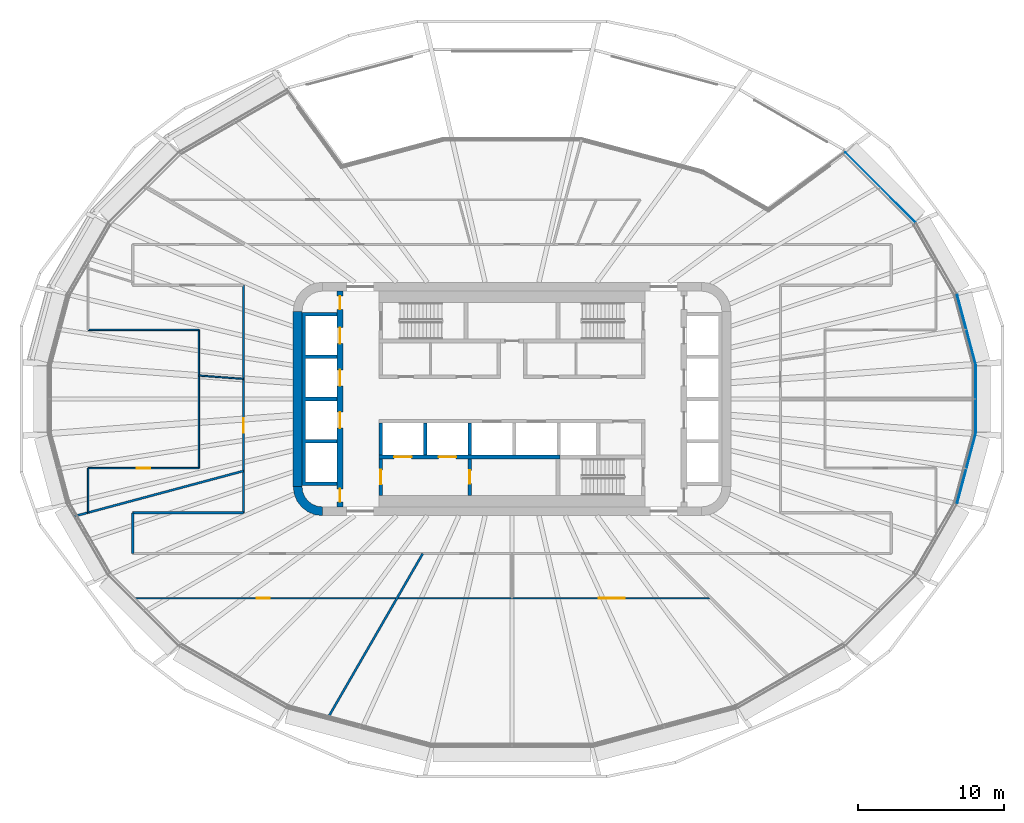
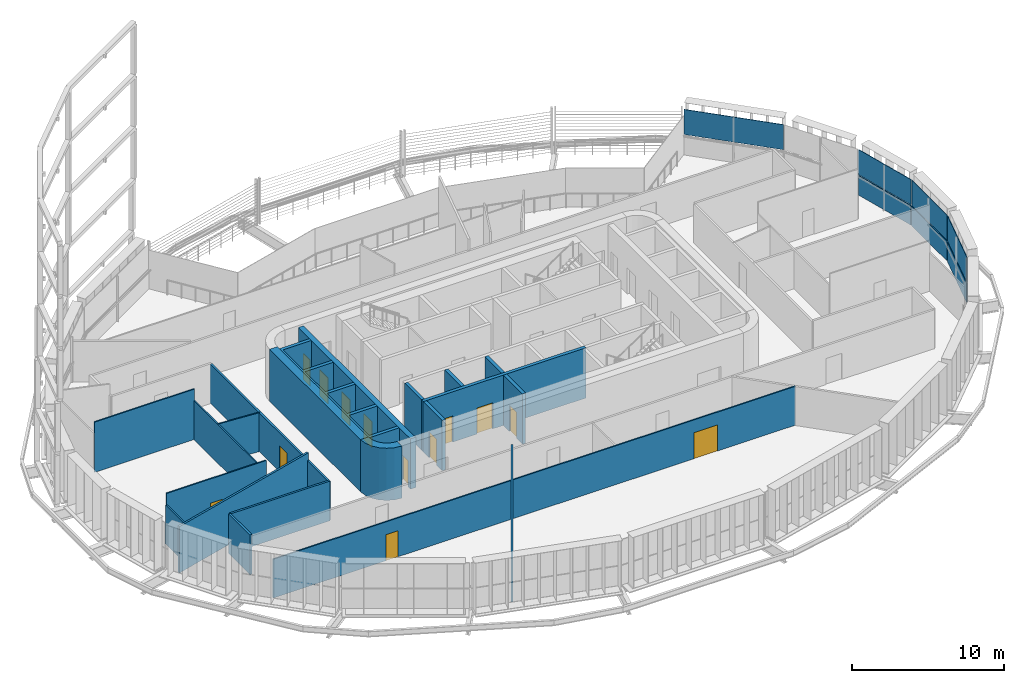
# One storey, part 13 of 25: 21 walls, 13 doors, 7 plates, 13 openings, 4 elements without a shape of their own.
"""IFC4 building model written with IfcOpenShell, lengths in metres."""

from ifc_helpers import new_model, si_unit, direction, frame, frame_2d, origin, place, context, subcontext, project, spatial, polyline, rectangle, outline, extrude, material, layer, layer_set, type_object, element, fill, aggregate, save


model = new_model("IFC4")

# Units and contexts
model_context = context("Model", 3, precision=1e-05, world=origin(), true_north=direction((0.0, 1.0)))
body_context = subcontext(model_context, "Body", "Model", "MODEL_VIEW")
ifc_project = project(units=[si_unit("LENGTHUNIT", "METRE"), si_unit("AREAUNIT", "SQUARE_METRE"), si_unit("VOLUMEUNIT", "CUBIC_METRE"), si_unit("PLANEANGLEUNIT", "RADIAN"), si_unit("MASSUNIT", "GRAM", prefix="KILO")], contexts=[model_context])

# Site, building, storey
site_placement = place(None, origin())
site = spatial("IfcSite", under=ifc_project, at=site_placement, CompositionType="ELEMENT")
building_placement = place(site_placement, origin())
building = spatial("IfcBuilding", under=site, at=building_placement, Name="Sahrelin Media Tower", CompositionType="ELEMENT")
storey_placement = place(building_placement, frame((0.0, 0.0, 127.199951171875)))
storey = spatial("IfcBuildingStorey", under=building, at=storey_placement, Name="L25", CompositionType="ELEMENT", Elevation=127.199951171875)

# Curtain wall, plate
ifc_material_1 = material(Name="Champagne anodised aluminium 6063-T6", Category="aluminium")
ifc_layer_1 = layer(ifc_material_1, 0.14990234375)
ifc_layer_set_1 = layer_set([ifc_layer_1], Name="Tower ribbon curtain wall")
curtain_wall_type = type_object("IfcCurtainWallType", Name="Tower ribbon curtain wall", PredefinedType="NOTDEFINED", material=ifc_layer_set_1)
curtain_wall_1_placement = place(storey_placement, frame((31.798095703125, 0.0, 0.0), z_axis=(0.0, 0.0, 1.0), x_axis=(1.0, 0.0, 0.0)))
curtain_wall_1 = element("IfcCurtainWall", 1, at=curtain_wall_1_placement, inside=storey, type_object=curtain_wall_type, Name="L25:CW:L25-00", PredefinedType="NOTDEFINED")
ifc_material_2 = material(Name="Clear low-iron glazing", Category="glass")
ifc_layer_2 = layer(ifc_material_2, 0.0400390625)
ifc_layer_set_2 = layer_set([ifc_layer_2], Name="Glazing panel 40 mm CW1")
plate_type_1 = type_object("IfcPlateType", Name="Glazing panel 40 mm CW1", PredefinedType="CURTAIN_PANEL", material=ifc_layer_set_2)
plate_1_placement = place(storey_placement, frame((31.818115234375, -2.32568359375, 1.630126953125), z_axis=(1.0, 0.0, 0.0), x_axis=(0.0, 1.0, 0.0)))
plate_1 = element("IfcPlate", 2, at=plate_1_placement, type_object=plate_type_1, Name="L25:CWP2:L25-00", PredefinedType="CURTAIN_PANEL", context=body_context, shape_type="SweptSolid", body=[
    extrude(outline(polyline([(0.0, 0.0), (4.6513671875, 0.0), (4.6513671875, 2.0185546875), (0.0, 2.0185546875), (0.0, 0.0)])), origin(), (0.0, 0.0, -1.0), 0.0400390625),
])

curtain_wall_2_placement = place(storey_placement, frame((31.155029296875, 4.775634765625, 0.0), z_axis=(0.0, 0.0, 1.0), x_axis=(1.0, 0.0, 0.0)))
curtain_wall_2 = element("IfcCurtainWall", 3, at=curtain_wall_2_placement, inside=storey, type_object=curtain_wall_type, Name="L25:CW:L25-01", PredefinedType="NOTDEFINED")
plate_2_placement = place(storey_placement, frame((31.8046875, 2.42919921875, 1.630126953125), z_axis=(0.965913807006, 0.258863897512, 0.0), x_axis=(-0.258863897512, 0.965913807006, 0.0)))
plate_2 = element("IfcPlate", 4, at=plate_2_placement, type_object=plate_type_1, Name="L25:CWP2:L25-01", PredefinedType="CURTAIN_PANEL", context=body_context, shape_type="SweptSolid", body=[
    extrude(outline(polyline([(0.0, 0.0), (4.869384765625, 0.0), (4.869384765625, 2.0185546875), (0.0, 2.0185546875), (0.0, 0.0)])), origin(), (0.0, 0.0, -1.0), 0.0400390625),
])

curtain_wall_3_placement = place(storey_placement, frame((25.25634765625, 14.5009765625, 0.0), z_axis=(0.0, 0.0, 1.0), x_axis=(1.0, 0.0, 0.0)))
curtain_wall_3 = element("IfcCurtainWall", 5, at=curtain_wall_3_placement, inside=storey, type_object=curtain_wall_type, Name="L25:CW:L25-03", PredefinedType="NOTDEFINED")
plate_3_placement = place(storey_placement, frame((27.663818359375, 12.121826171875, 1.630126953125), z_axis=(0.707106781187, 0.707106781187, 0.0), x_axis=(-0.707106781187, 0.707106781187, 0.0)))
plate_3 = element("IfcPlate", 6, at=plate_3_placement, type_object=plate_type_1, Name="L25:CWP2:L25-03", PredefinedType="CURTAIN_PANEL", context=body_context, shape_type="SweptSolid", body=[
    extrude(outline(polyline([(0.0, 0.0), (6.769287109375, 0.0), (6.769287109375, 2.0185546875), (0.0, 2.0185546875), (0.0, 0.0)])), origin(), (0.0, 0.0, -1.0), 0.0400390625),
])
aggregate(curtain_wall_3, [plate_3])

curtain_wall_4_placement = place(storey_placement, frame((31.155029296875, -4.77587890625, 0.0), z_axis=(0.0, 0.0, 1.0), x_axis=(1.0, 0.0, 0.0)))
curtain_wall_4 = element("IfcCurtainWall", 7, at=curtain_wall_4_placement, inside=storey, type_object=curtain_wall_type, Name="L25:CW:L25-23", PredefinedType="NOTDEFINED")
plate_4_placement = place(storey_placement, frame((30.544189453125, -7.132568359375, 1.630126953125), z_axis=(0.965913807006, -0.258863897512, 0.0), x_axis=(0.258863897512, 0.965913807006, 0.0)))
plate_4 = element("IfcPlate", 8, at=plate_4_placement, type_object=plate_type_1, Name="L25:CWP2:L25-23", PredefinedType="CURTAIN_PANEL", context=body_context, shape_type="SweptSolid", body=[
    extrude(outline(polyline([(0.0, 0.0), (4.869384765625, 0.0), (4.869384765625, 2.0185546875), (0.0, 2.0185546875), (0.0, 0.0)])), origin(), (0.0, 0.0, -1.0), 0.0400390625),
])

# Plate
ifc_material_3 = material(Name="Insulated spandrel panel")
ifc_layer_3 = layer(ifc_material_3, 0.06005859375)
ifc_layer_set_3 = layer_set([ifc_layer_3], Name="Spandrel panel 60 mm CW1")
plate_type_2 = type_object("IfcPlateType", Name="Spandrel panel 60 mm CW1", PredefinedType="SHEET", material=ifc_layer_set_3)
plate_5_placement = place(storey_placement, frame((31.818115234375, -2.32568359375, 0.0), z_axis=(1.0, 0.0, 0.0), x_axis=(0.0, 1.0, 0.0)))
plate_5 = element("IfcPlate", 9, at=plate_5_placement, type_object=plate_type_2, Name="L25:CWP1:L25-00", PredefinedType="SHEET", context=body_context, shape_type="SweptSolid", body=[
    extrude(outline(polyline([(0.0, 0.0), (4.6513671875, 0.0), (4.6513671875, 1.570068359375), (0.0, 1.570068359375), (0.0, 0.0)])), origin(), (0.0, 0.0, -1.0), 0.06005859375),
])

aggregate(curtain_wall_1, [plate_5, plate_1])

plate_6_placement = place(storey_placement, frame((31.8046875, 2.42919921875, 0.0), z_axis=(0.965913807006, 0.258863897512, 0.0), x_axis=(-0.258863897512, 0.965913807006, 0.0)))
plate_6 = element("IfcPlate", 10, at=plate_6_placement, type_object=plate_type_2, Name="L25:CWP1:L25-01", PredefinedType="SHEET", context=body_context, shape_type="SweptSolid", body=[
    extrude(outline(polyline([(0.0, 0.0), (4.869384765625, 0.0), (4.869384765625, 1.570068359375), (0.0, 1.570068359375), (0.0, 0.0)])), origin(), (0.0, 0.0, -1.0), 0.06005859375),
])

aggregate(curtain_wall_2, [plate_6, plate_2])

plate_7_placement = place(storey_placement, frame((30.544189453125, -7.132568359375, 0.0), z_axis=(0.965913807006, -0.258863897512, 0.0), x_axis=(0.258863897512, 0.965913807006, 0.0)))
plate_7 = element("IfcPlate", 11, at=plate_7_placement, type_object=plate_type_2, Name="L25:CWP1:L25-23", PredefinedType="SHEET", context=body_context, shape_type="SweptSolid", body=[
    extrude(outline(polyline([(0.0, 0.0), (4.869384765625, 0.0), (4.869384765625, 1.570068359375), (0.0, 1.570068359375), (0.0, 0.0)])), origin(), (0.0, 0.0, -1.0), 0.06005859375),
])

aggregate(curtain_wall_4, [plate_7, plate_4])

# Walls
ifc_material_4 = material(Name="Concrete C60/75", Category="concrete")
ifc_layer_4 = layer(ifc_material_4, 0.60009765625)
ifc_layer_set_4 = layer_set([ifc_layer_4], Name="Core wall 600")
wall_type_1 = type_object("IfcWallType", Name="Core wall 600", PredefinedType="SHEAR", material=ifc_layer_set_4)
wall_1_placement = place(storey_placement, frame((-14.699951171875, -6.0, 0.0), z_axis=(0.0, 0.0, 1.0), x_axis=(0.0, 1.0, 0.0)))
element("IfcWall", 12, at=wall_1_placement, inside=storey, type_object=wall_type_1, Name="Core wall W L25", PredefinedType="SHEAR", context=body_context, shape_type="SweptSolid", body=[
    extrude(rectangle(XDim=12.0, YDim=0.60009765625, at=frame_2d((6.0, 0.0))), origin(), (0.0, 0.0, 1.0), 4.199951171875),
])
placement = place(storey_placement, origin())
element("IfcWall", 13, at=placement, inside=storey, type_object=wall_type_1, Name="Core wall corner SW L25", PredefinedType="SHEAR", context=body_context, shape_type="SweptSolid", body=[
    extrude(outline(polyline([(-13.0, -8.0), (-13.0, -7.394775390625), (-13.361083984375, -7.347412109375), (-13.697509765625, -7.2080078125), (-13.986328125, -6.986328125), (-14.2080078125, -6.697509765625), (-14.347412109375, -6.361083984375), (-14.394775390625, -6.0), (-15.0, -6.0), (-14.931884765625, -6.517578125), (-14.732177734375, -7.0), (-14.414306640625, -7.414306640625), (-14.0, -7.732177734375), (-13.517578125, -7.931884765625), (-13.0, -8.0)])), origin(), (0.0, 0.0, 1.0), 4.199951171875),
])
ifc_material_5 = material(Name="Fire-rated gypsum board partition")
ifc_layer_5 = layer(ifc_material_5, 0.14990234375)
ifc_layer_set_5 = layer_set([ifc_layer_5], Name="Fire-rated partition 150")
wall_type_2 = type_object("IfcWallType", Name="Fire-rated partition 150", PredefinedType="PARTITIONING", material=ifc_layer_set_5)
wall_3_placement = place(storey_placement, frame((-26.0, -7.800048828125, 0.0), z_axis=(0.0, 0.0, 1.0), x_axis=(1.0, 0.0, 0.0)))
element("IfcWall", 14, at=wall_3_placement, inside=storey, type_object=wall_type_2, Name="Wall", PredefinedType="PARTITIONING", context=body_context, shape_type="SweptSolid", body=[
    extrude(rectangle(XDim=7.60009765625, YDim=0.14990234375, at=frame_2d((3.800048828125, 0.0))), origin(), (0.0, 0.0, 1.0), 3.195068359375),
])
wall_4_placement = place(storey_placement, frame((-30.011962890625, -8.0419921875, 0.0), z_axis=(0.0, 0.0, 1.0), x_axis=(0.965928199485, 0.25881018805, 0.0)))
element("IfcWall", 15, at=wall_4_placement, inside=storey, type_object=wall_type_2, Name="Wall", PredefinedType="PARTITIONING", context=body_context, shape_type="SweptSolid", body=[
    extrude(rectangle(XDim=12.021728515625, YDim=0.14990234375, at=frame_2d((6.0107421875, 0.0))), origin(), (0.0, 0.0, 1.0), 3.7265625),
])
wall_5_placement = place(storey_placement, frame((-12.669921875, -21.945068359375, 0.0), z_axis=(0.0, 0.0, 1.0), x_axis=(0.500015519518, 0.866016443401, 0.0)))
element("IfcWall", 16, at=wall_5_placement, inside=storey, type_object=wall_type_2, Name="Wall", PredefinedType="PARTITIONING", context=body_context, shape_type="SweptSolid", body=[
    extrude(rectangle(XDim=13.10009765625, YDim=0.14990234375, at=frame_2d((6.550048828125, 0.0))), origin(), (0.0, 0.0, 1.0), 3.501708984375),
])

# Wall, opening, door
wall_6_placement = place(storey_placement, frame((-18.39990234375, -7.800048828125, 0.0), z_axis=(0.0, 0.0, 1.0), x_axis=(0.0, 1.0, 0.0)))
wall_6 = element("IfcWall", 17, at=wall_6_placement, inside=storey, type_object=wall_type_2, Name="Wall", PredefinedType="PARTITIONING", context=body_context, shape_type="SweptSolid", body=[
    extrude(rectangle(XDim=15.60009765625, YDim=0.14990234375, at=frame_2d((7.800048828125, 0.0))), origin(), (0.0, 0.0, 1.0), 3.126953125),
])
opening_1_placement = place(wall_6_placement, frame((5.474365234375, 0.0, 0.0)))
opening_1 = element("IfcOpeningElement", 18, at=opening_1_placement, cuts=wall_6, Name="Opening L25-D35", PredefinedType="OPENING", context=body_context, shape_type="SweptSolid", body=[
    extrude(rectangle(XDim=1.0, YDim=2.10009765625, at=frame_2d((0.5, 1.050048828125))), frame((0.0, 0.074951171875, 0.0), z_axis=(0.0, -1.0, 0.0), x_axis=(1.0, 0.0, 0.0)), (0.0, 0.0, 1.0), 0.14990234375),
])
ifc_material_6 = material(Name="Steel fire door leaf", Category="steel")
door_type_1 = type_object("IfcDoorType", Name="Fire door 1000 x 2100 EI 60", OperationType="NOTDEFINED", PredefinedType="DOOR", material=ifc_material_6)
door_1_placement = place(opening_1_placement, origin())
door_1 = element("IfcDoor", 19, at=door_1_placement, inside=storey, type_object=door_type_1, Name="Fire door", OperationType="SINGLE_SWING_LEFT", OverallHeight=2.10009765625, OverallWidth=1.0, PredefinedType="DOOR", context=body_context, shape_type="SweptSolid", body=[
    extrude(rectangle(XDim=1.0, YDim=2.10009765625, at=frame_2d((0.5, 1.050048828125))), frame((0.0, 0.02490234375, 0.0), z_axis=(0.0, -1.0, 0.0), x_axis=(1.0, 0.0, 0.0)), (0.0, 0.0, 1.0), 0.050048828125),
])
fill(opening_1, door_1)

# Wall
wall_7_placement = place(storey_placement, frame((-26.0, -10.60009765625, 0.0), z_axis=(0.0, 0.0, 1.0), x_axis=(0.0, 1.0, 0.0)))
element("IfcWall", 20, at=wall_7_placement, inside=storey, type_object=wall_type_2, Name="Wall", PredefinedType="PARTITIONING", context=body_context, shape_type="SweptSolid", body=[
    extrude(rectangle(XDim=2.800048828125, YDim=0.14990234375, at=frame_2d((1.39990234375, 0.0))), origin(), (0.0, 0.0, 1.0), 3.195068359375),
])

# Wall, opening, door
ifc_layer_6 = layer(ifc_material_5, 0.25)
ifc_layer_set_6 = layer_set([ifc_layer_6], Name="Firefighting lobby wall 250")
wall_type_3 = type_object("IfcWallType", Name="Firefighting lobby wall 250", PredefinedType="PARTITIONING", material=ifc_layer_set_6)
wall_8_placement = place(storey_placement, frame((-9.0, -6.60009765625, 0.0), z_axis=(0.0, 0.0, 1.0), x_axis=(0.0, 1.0, 0.0)))
wall_8 = element("IfcWall", 21, at=wall_8_placement, inside=storey, type_object=wall_type_3, Name="Core wall", PredefinedType="PARTITIONING", context=body_context, shape_type="SweptSolid", body=[
    extrude(rectangle(XDim=2.5, YDim=0.25, at=frame_2d((1.25, 0.0))), origin(), (0.0, 0.0, 1.0), 4.050048828125),
])
opening_2_placement = place(wall_8_placement, frame((0.75, 0.0, 0.0)))
opening_2 = element("IfcOpeningElement", 22, at=opening_2_placement, cuts=wall_8, Name="Opening L25-D04", PredefinedType="OPENING", context=body_context, shape_type="SweptSolid", body=[
    extrude(rectangle(XDim=1.0, YDim=2.10009765625, at=frame_2d((0.5, 1.050048828125))), frame((0.0, 0.125, 0.0), z_axis=(0.0, -1.0, 0.0), x_axis=(1.0, 0.0, 0.0)), (0.0, 0.0, 1.0), 0.25),
])
door_type_2 = type_object("IfcDoorType", Name="Firefighting lobby door 1000 x 2100 EI 120", OperationType="NOTDEFINED", PredefinedType="DOOR", material=ifc_material_6)
door_2_placement = place(opening_2_placement, origin())
door_2 = element("IfcDoor", 23, at=door_2_placement, inside=storey, type_object=door_type_2, Name="Firefighting lobby door", OperationType="SINGLE_SWING_LEFT", OverallHeight=2.10009765625, OverallWidth=1.0, PredefinedType="DOOR", context=body_context, shape_type="SweptSolid", body=[
    extrude(rectangle(XDim=1.0, YDim=2.10009765625, at=frame_2d((0.5, 1.050048828125))), frame((0.0, 0.02490234375, 0.0), z_axis=(0.0, -1.0, 0.0), x_axis=(1.0, 0.0, 0.0)), (0.0, 0.0, 1.0), 0.050048828125),
])
fill(opening_2, door_2)

wall_9_placement = place(storey_placement, frame((-2.89990234375, -6.60009765625, 0.0), z_axis=(0.0, 0.0, 1.0), x_axis=(0.0, 1.0, 0.0)))
wall_9 = element("IfcWall", 24, at=wall_9_placement, inside=storey, type_object=wall_type_3, Name="Core wall", PredefinedType="PARTITIONING", context=body_context, shape_type="SweptSolid", body=[
    extrude(rectangle(XDim=2.5, YDim=0.25, at=frame_2d((1.25, 0.0))), origin(), (0.0, 0.0, 1.0), 4.050048828125),
])
opening_3_placement = place(wall_9_placement, frame((0.800048828125, 0.0, 0.0)))
opening_3 = element("IfcOpeningElement", 25, at=opening_3_placement, cuts=wall_9, Name="Opening L25-D05", PredefinedType="OPENING", context=body_context, shape_type="SweptSolid", body=[
    extrude(rectangle(XDim=0.89990234375, YDim=2.10009765625, at=frame_2d((0.449951171875, 1.050048828125))), frame((0.0, 0.125, 0.0), z_axis=(0.0, -1.0, 0.0), x_axis=(1.0, 0.0, 0.0)), (0.0, 0.0, 1.0), 0.25),
])
door_type_3 = type_object("IfcDoorType", Name="Firefighting lobby door 900 x 2100 EI 120", OperationType="NOTDEFINED", PredefinedType="DOOR", material=ifc_material_6)
door_3_placement = place(opening_3_placement, origin())
door_3 = element("IfcDoor", 26, at=door_3_placement, inside=storey, type_object=door_type_3, Name="Riser door", OperationType="SINGLE_SWING_RIGHT", OverallHeight=2.10009765625, OverallWidth=0.89990234375, PredefinedType="DOOR", context=body_context, shape_type="SweptSolid", body=[
    extrude(rectangle(XDim=0.89990234375, YDim=2.10009765625, at=frame_2d((0.449951171875, 1.050048828125))), frame((0.0, 0.02490234375, 0.0), z_axis=(0.0, -1.0, 0.0), x_axis=(1.0, 0.0, 0.0)), (0.0, 0.0, 1.0), 0.050048828125),
])
fill(opening_3, door_3)

# Wall, openings, doors
ifc_layer_7 = layer(ifc_material_4, 0.25)
ifc_layer_set_7 = layer_set([ifc_layer_7], Name="Lift shaft wall 250")
wall_type_4 = type_object("IfcWallType", Name="Lift shaft wall 250", PredefinedType="SOLIDWALL", material=ifc_layer_set_7)
wall_10_placement = place(storey_placement, frame((-9.125, -3.97509765625, 0.0), z_axis=(0.0, 0.0, 1.0), x_axis=(1.0, 0.0, 0.0)))
wall_10 = element("IfcWall", 27, at=wall_10_placement, inside=storey, type_object=wall_type_4, Name="Lift shaft wall", PredefinedType="SOLIDWALL", context=body_context, shape_type="SweptSolid", body=[
    extrude(rectangle(XDim=12.39990234375, YDim=0.25, at=frame_2d((6.199951171875, 0.0))), origin(), (0.0, 0.0, 1.0), 4.050048828125),
])
opening_4_placement = place(wall_10_placement, frame((1.050048828125, 0.0, 0.0)))
opening_4 = element("IfcOpeningElement", 28, at=opening_4_placement, cuts=wall_10, Name="Opening L25-LD-FF1", PredefinedType="OPENING", context=body_context, shape_type="SweptSolid", body=[
    extrude(rectangle(XDim=1.199951171875, YDim=2.10009765625, at=frame_2d((0.60009765625, 1.050048828125))), frame((0.0, 0.125, 0.0), z_axis=(0.0, -1.0, 0.0), x_axis=(1.0, 0.0, 0.0)), (0.0, 0.0, 1.0), 0.25),
])
opening_5_placement = place(wall_10_placement, frame((4.10009765625, 0.0, 0.0)))
opening_5 = element("IfcOpeningElement", 29, at=opening_5_placement, cuts=wall_10, Name="Opening L25-LD-FF2", PredefinedType="OPENING", context=body_context, shape_type="SweptSolid", body=[
    extrude(rectangle(XDim=1.199951171875, YDim=2.10009765625, at=frame_2d((0.60009765625, 1.050048828125))), frame((0.0, 0.125, 0.0), z_axis=(0.0, -1.0, 0.0), x_axis=(1.0, 0.0, 0.0)), (0.0, 0.0, 1.0), 0.25),
])
ifc_material_7 = material(Name="Stainless steel", Category="steel")
door_type_4 = type_object("IfcDoorType", Name="Lift landing door 1200 x 2100 EI 120", OperationType="DOUBLE_DOOR_SLIDING", PredefinedType="DOOR", material=ifc_material_7)
door_4_placement = place(opening_4_placement, origin())
door_4 = element("IfcDoor", 30, at=door_4_placement, inside=storey, type_object=door_type_4, Name="Lift landing door FF1", OperationType="DOUBLE_DOOR_SLIDING", OverallHeight=2.10009765625, OverallWidth=1.199951171875, PredefinedType="DOOR", context=body_context, shape_type="SweptSolid", body=[
    extrude(rectangle(XDim=1.199951171875, YDim=2.10009765625, at=frame_2d((0.60009765625, 1.050048828125))), frame((0.0, 0.02490234375, 0.0), z_axis=(0.0, -1.0, 0.0), x_axis=(1.0, 0.0, 0.0)), (0.0, 0.0, 1.0), 0.050048828125),
])
fill(opening_4, door_4)
door_5_placement = place(opening_5_placement, origin())
door_5 = element("IfcDoor", 31, at=door_5_placement, inside=storey, type_object=door_type_4, Name="Lift landing door FF2", OperationType="DOUBLE_DOOR_SLIDING", OverallHeight=2.10009765625, OverallWidth=1.199951171875, PredefinedType="DOOR", context=body_context, shape_type="SweptSolid", body=[
    extrude(rectangle(XDim=1.199951171875, YDim=2.10009765625, at=frame_2d((0.60009765625, 1.050048828125))), frame((0.0, 0.02490234375, 0.0), z_axis=(0.0, -1.0, 0.0), x_axis=(1.0, 0.0, 0.0)), (0.0, 0.0, 1.0), 0.050048828125),
])
fill(opening_5, door_5)

# Walls
for number, where, z_axis, x_axis, name in (
    (32, (-9.0, -3.85009765625, 0.0), (0.0, 0.0, 1.0), (0.0, 1.0, 0.0), "Lift shaft wall"),
    (33, (-5.949951171875, -3.85009765625, 0.0), (0.0, 0.0, 1.0), (0.0, 1.0, 0.0), "Lift shaft wall"),
    (34, (-2.89990234375, -3.85009765625, 0.0), (0.0, 0.0, 1.0), (0.0, 1.0, 0.0), "Lift shaft wall"),
):
    element("IfcWall", number, at=place(storey_placement, frame(where, z_axis=z_axis, x_axis=x_axis)), inside=storey, type_object=wall_type_4, Name=name, PredefinedType="SOLIDWALL", context=body_context, shape_type="SweptSolid", body=[
        extrude(rectangle(XDim=2.2001953125, YDim=0.25, at=frame_2d((1.10009765625, 0.0))), origin(), (0.0, 0.0, 1.0), 4.050048828125),
    ])
element("IfcWall", 35, at=placement, inside=storey, type_object=wall_type_4, Name="Lift shaft wall", PredefinedType="SOLIDWALL", context=body_context, shape_type="SweptSolid", body=[
    extrude(outline(polyline([(-12.0, -5.925048828125), (-12.0, -5.675048828125), (-14.14990234375, -5.675048828125), (-14.14990234375, -3.02490234375), (-12.0, -3.02490234375), (-12.0, -2.77490234375), (-14.14990234375, -2.77490234375), (-14.14990234375, -0.125), (-12.0, -0.125), (-12.0, 0.125), (-14.14990234375, 0.125), (-14.14990234375, 2.77490234375), (-12.0, 2.77490234375), (-12.0, 3.02490234375), (-14.14990234375, 3.02490234375), (-14.14990234375, 5.675048828125), (-12.0, 5.675048828125), (-12.0, 5.925048828125), (-14.14990234375, 5.925048828125), (-14.39990234375, 5.925048828125), (-14.39990234375, 5.675048828125), (-14.39990234375, 3.02490234375), (-14.39990234375, 2.77490234375), (-14.39990234375, 0.125), (-14.39990234375, -0.125), (-14.39990234375, -2.77490234375), (-14.39990234375, -3.02490234375), (-14.39990234375, -5.675048828125), (-14.39990234375, -5.925048828125), (-14.14990234375, -5.925048828125), (-12.0, -5.925048828125)])), origin(), (0.0, 0.0, 1.0), 4.050048828125),
])

# Wall, openings, doors
ifc_layer_8 = layer(ifc_material_4, 0.39990234375)
ifc_layer_set_8 = layer_set([ifc_layer_8], Name="Lift shaft wall 400")
wall_type_5 = type_object("IfcWallType", Name="Lift shaft wall 400", PredefinedType="SOLIDWALL", material=ifc_layer_set_8)
wall_12_placement = place(storey_placement, frame((-11.800048828125, -7.39990234375, 0.0), z_axis=(0.0, 0.0, 1.0), x_axis=(0.0, 1.0, 0.0)))
wall_12 = element("IfcWall", 36, at=wall_12_placement, inside=storey, type_object=wall_type_5, Name="Lift shaft wall", PredefinedType="SOLIDWALL", context=body_context, shape_type="SweptSolid", body=[
    extrude(rectangle(XDim=14.7998046875, YDim=0.39990234375, at=frame_2d((7.39990234375, 0.0))), origin(), (0.0, 0.0, 1.0), 4.050048828125),
])
opening_6_placement = place(wall_12_placement, frame((11.199951171875, 0.0, 0.0)))
opening_6 = element("IfcOpeningElement", 37, at=opening_6_placement, cuts=wall_12, Name="Opening L25-LD-LR1", PredefinedType="OPENING", context=body_context, shape_type="SweptSolid", body=[
    extrude(rectangle(XDim=1.10009765625, YDim=2.10009765625, at=frame_2d((0.550048828125, 1.050048828125))), frame((0.0, 0.199951171875, 0.0), z_axis=(0.0, -1.0, 0.0), x_axis=(1.0, 0.0, 0.0)), (0.0, 0.0, 1.0), 0.39990234375),
])
opening_7_placement = place(wall_12_placement, frame((8.300048828125, 0.0, 0.0)))
opening_7 = element("IfcOpeningElement", 38, at=opening_7_placement, cuts=wall_12, Name="Opening L25-LD-LR2", PredefinedType="OPENING", context=body_context, shape_type="SweptSolid", body=[
    extrude(rectangle(XDim=1.10009765625, YDim=2.10009765625, at=frame_2d((0.550048828125, 1.050048828125))), frame((0.0, 0.199951171875, 0.0), z_axis=(0.0, -1.0, 0.0), x_axis=(1.0, 0.0, 0.0)), (0.0, 0.0, 1.0), 0.39990234375),
])
opening_8_placement = place(wall_12_placement, frame((5.39990234375, 0.0, 0.0)))
opening_8 = element("IfcOpeningElement", 39, at=opening_8_placement, cuts=wall_12, Name="Opening L25-LD-LR3", PredefinedType="OPENING", context=body_context, shape_type="SweptSolid", body=[
    extrude(rectangle(XDim=1.10009765625, YDim=2.10009765625, at=frame_2d((0.550048828125, 1.050048828125))), frame((0.0, 0.199951171875, 0.0), z_axis=(0.0, -1.0, 0.0), x_axis=(1.0, 0.0, 0.0)), (0.0, 0.0, 1.0), 0.39990234375),
])
opening_9_placement = place(wall_12_placement, frame((13.552490234375, 0.0, 0.0)))
opening_9 = element("IfcOpeningElement", 40, at=opening_9_placement, cuts=wall_12, Name="Opening L25-D12", PredefinedType="OPENING", context=body_context, shape_type="SweptSolid", body=[
    extrude(rectangle(XDim=0.89990234375, YDim=2.10009765625, at=frame_2d((0.449951171875, 1.050048828125))), frame((0.0, 0.199951171875, 0.0), z_axis=(0.0, -1.0, 0.0), x_axis=(1.0, 0.0, 0.0)), (0.0, 0.0, 1.0), 0.39990234375),
])
opening_10_placement = place(wall_12_placement, frame((0.347412109375, 0.0, 0.0)))
opening_10 = element("IfcOpeningElement", 41, at=opening_10_placement, cuts=wall_12, Name="Opening L25-D13", PredefinedType="OPENING", context=body_context, shape_type="SweptSolid", body=[
    extrude(rectangle(XDim=0.89990234375, YDim=2.10009765625, at=frame_2d((0.449951171875, 1.050048828125))), frame((0.0, 0.199951171875, 0.0), z_axis=(0.0, -1.0, 0.0), x_axis=(1.0, 0.0, 0.0)), (0.0, 0.0, 1.0), 0.39990234375),
])
door_type_5 = type_object("IfcDoorType", Name="Lift landing door 1100 x 2100 EI 120", OperationType="DOUBLE_DOOR_SLIDING", PredefinedType="DOOR", material=ifc_material_7)
door_6_placement = place(opening_6_placement, origin())
door_6 = element("IfcDoor", 42, at=door_6_placement, inside=storey, type_object=door_type_5, Name="Lift landing door LR1", OperationType="DOUBLE_DOOR_SLIDING", OverallHeight=2.10009765625, OverallWidth=1.10009765625, PredefinedType="DOOR", context=body_context, shape_type="SweptSolid", body=[
    extrude(rectangle(XDim=1.10009765625, YDim=2.10009765625, at=frame_2d((0.550048828125, 1.050048828125))), frame((0.0, 0.02490234375, 0.0), z_axis=(0.0, -1.0, 0.0), x_axis=(1.0, 0.0, 0.0)), (0.0, 0.0, 1.0), 0.050048828125),
])
fill(opening_6, door_6)
door_7_placement = place(opening_7_placement, origin())
door_7 = element("IfcDoor", 43, at=door_7_placement, inside=storey, type_object=door_type_5, Name="Lift landing door LR2", OperationType="DOUBLE_DOOR_SLIDING", OverallHeight=2.10009765625, OverallWidth=1.10009765625, PredefinedType="DOOR", context=body_context, shape_type="SweptSolid", body=[
    extrude(rectangle(XDim=1.10009765625, YDim=2.10009765625, at=frame_2d((0.550048828125, 1.050048828125))), frame((0.0, 0.02490234375, 0.0), z_axis=(0.0, -1.0, 0.0), x_axis=(1.0, 0.0, 0.0)), (0.0, 0.0, 1.0), 0.050048828125),
])
fill(opening_7, door_7)
door_8_placement = place(opening_8_placement, origin())
door_8 = element("IfcDoor", 44, at=door_8_placement, inside=storey, type_object=door_type_5, Name="Lift landing door LR3", OperationType="DOUBLE_DOOR_SLIDING", OverallHeight=2.10009765625, OverallWidth=1.10009765625, PredefinedType="DOOR", context=body_context, shape_type="SweptSolid", body=[
    extrude(rectangle(XDim=1.10009765625, YDim=2.10009765625, at=frame_2d((0.550048828125, 1.050048828125))), frame((0.0, 0.02490234375, 0.0), z_axis=(0.0, -1.0, 0.0), x_axis=(1.0, 0.0, 0.0)), (0.0, 0.0, 1.0), 0.050048828125),
])
fill(opening_8, door_8)
door_type_6 = type_object("IfcDoorType", Name="Riser door 900 x 2100 EI 120", OperationType="NOTDEFINED", PredefinedType="DOOR", material=ifc_material_6)
door_9_placement = place(opening_9_placement, origin())
door_9 = element("IfcDoor", 45, at=door_9_placement, inside=storey, type_object=door_type_6, Name="Riser door", OperationType="SINGLE_SWING_LEFT", OverallHeight=2.10009765625, OverallWidth=0.89990234375, PredefinedType="DOOR", context=body_context, shape_type="SweptSolid", body=[
    extrude(rectangle(XDim=0.89990234375, YDim=2.10009765625, at=frame_2d((0.449951171875, 1.050048828125))), frame((0.0, 0.02490234375, 0.0), z_axis=(0.0, -1.0, 0.0), x_axis=(1.0, 0.0, 0.0)), (0.0, 0.0, 1.0), 0.050048828125),
])
fill(opening_9, door_9)
door_10_placement = place(opening_10_placement, origin())
door_10 = element("IfcDoor", 46, at=door_10_placement, inside=storey, type_object=door_type_6, Name="Riser door", OperationType="SINGLE_SWING_LEFT", OverallHeight=2.10009765625, OverallWidth=0.89990234375, PredefinedType="DOOR", context=body_context, shape_type="SweptSolid", body=[
    extrude(rectangle(XDim=0.89990234375, YDim=2.10009765625, at=frame_2d((0.449951171875, 1.050048828125))), frame((0.0, 0.02490234375, 0.0), z_axis=(0.0, -1.0, 0.0), x_axis=(1.0, 0.0, 0.0)), (0.0, 0.0, 1.0), 0.050048828125),
])
fill(opening_10, door_10)

# Wall
ifc_material_8 = material(Name="Gypsum board partition")
ifc_layer_9 = layer(ifc_material_8, 0.10009765625)
ifc_layer_set_9 = layer_set([ifc_layer_9], Name="Partition 100")
wall_type_6 = type_object("IfcWallType", Name="Partition 100", PredefinedType="PARTITIONING", material=ifc_layer_set_9)
wall_13_placement = place(storey_placement, frame((-21.4599609375, 1.60791015625, 0.0), z_axis=(0.0, 0.0, 1.0), x_axis=(0.997211460705, -0.074627760503, 0.0)))
element("IfcWall", 47, at=wall_13_placement, inside=storey, type_object=wall_type_6, Name="Wall", PredefinedType="PARTITIONING", context=body_context, shape_type="SweptSolid", body=[
    extrude(rectangle(XDim=3.068603515625, YDim=0.10009765625, at=frame_2d((1.5341796875, 0.0))), origin(), (0.0, 0.0, 1.0), 3.126953125),
])

# Wall, openings, doors
wall_14_placement = place(storey_placement, frame((-26.096923828125, -13.659912109375, 0.0), z_axis=(0.0, 0.0, 1.0), x_axis=(1.0, 0.0, 0.0)))
wall_14 = element("IfcWall", 48, at=wall_14_placement, inside=storey, type_object=wall_type_6, Name="Wall", PredefinedType="PARTITIONING", context=body_context, shape_type="SweptSolid", body=[
    extrude(rectangle(XDim=39.7568359375, YDim=0.10009765625, at=frame_2d((19.87841796875, 0.0))), origin(), (0.0, 0.0, 1.0), 3.126953125),
])
opening_11_placement = place(wall_14_placement, frame((32.027099609375, 0.0, 0.0)))
opening_11 = element("IfcOpeningElement", 49, at=opening_11_placement, cuts=wall_14, Name="Opening L25-D22", PredefinedType="OPENING", context=body_context, shape_type="SweptSolid", body=[
    extrude(rectangle(XDim=1.800048828125, YDim=2.10009765625, at=frame_2d((0.89990234375, 1.050048828125))), frame((0.0, 0.050048828125, 0.0), z_axis=(0.0, -1.0, 0.0), x_axis=(1.0, 0.0, 0.0)), (0.0, 0.0, 1.0), 0.10009765625),
])
opening_12_placement = place(wall_14_placement, frame((8.60498046875, 0.0, 0.0)))
opening_12 = element("IfcOpeningElement", 50, at=opening_12_placement, cuts=wall_14, Name="Opening L25-D38", PredefinedType="OPENING", context=body_context, shape_type="SweptSolid", body=[
    extrude(rectangle(XDim=0.89990234375, YDim=2.10009765625, at=frame_2d((0.449951171875, 1.050048828125))), frame((0.0, 0.050048828125, 0.0), z_axis=(0.0, -1.0, 0.0), x_axis=(1.0, 0.0, 0.0)), (0.0, 0.0, 1.0), 0.10009765625),
])
ifc_material_9 = material(Name="Timber door leaf", Category="wood")
door_type_7 = type_object("IfcDoorType", Name="Double door 1800 x 2100", OperationType="DOUBLE_DOOR_SINGLE_SWING", PredefinedType="DOOR", material=ifc_material_9)
door_11_placement = place(opening_11_placement, origin())
door_11 = element("IfcDoor", 51, at=door_11_placement, inside=storey, type_object=door_type_7, Name="Double door", OperationType="DOUBLE_DOOR_SINGLE_SWING", OverallHeight=2.10009765625, OverallWidth=1.800048828125, PredefinedType="DOOR", context=body_context, shape_type="SweptSolid", body=[
    extrude(rectangle(XDim=1.800048828125, YDim=2.10009765625, at=frame_2d((0.89990234375, 1.050048828125))), frame((0.0, 0.02490234375, 0.0), z_axis=(0.0, -1.0, 0.0), x_axis=(1.0, 0.0, 0.0)), (0.0, 0.0, 1.0), 0.050048828125),
])
fill(opening_11, door_11)
door_type_8 = type_object("IfcDoorType", Name="Single door 900 x 2100", OperationType="NOTDEFINED", PredefinedType="DOOR", material=ifc_material_9)
door_12_placement = place(opening_12_placement, origin())
door_12 = element("IfcDoor", 52, at=door_12_placement, inside=storey, type_object=door_type_8, Name="Single door", OperationType="SINGLE_SWING_LEFT", OverallHeight=2.10009765625, OverallWidth=0.89990234375, PredefinedType="DOOR", context=body_context, shape_type="SweptSolid", body=[
    extrude(rectangle(XDim=0.89990234375, YDim=2.10009765625, at=frame_2d((0.449951171875, 1.050048828125))), frame((0.0, 0.02490234375, 0.0), z_axis=(0.0, -1.0, 0.0), x_axis=(1.0, 0.0, 0.0)), (0.0, 0.0, 1.0), 0.050048828125),
])
fill(opening_12, door_12)

# Wall, opening, door
wall_15_placement = place(storey_placement, frame((-29.06005859375, -4.739990234375, 0.0), z_axis=(0.0, 0.0, 1.0), x_axis=(1.0, 0.0, 0.0)))
wall_15 = element("IfcWall", 53, at=wall_15_placement, inside=storey, type_object=wall_type_6, Name="Wall", PredefinedType="PARTITIONING", context=body_context, shape_type="SweptSolid", body=[
    extrude(rectangle(XDim=7.60009765625, YDim=0.10009765625, at=frame_2d((3.800048828125, 0.0))), origin(), (0.0, 0.0, 1.0), 4.050048828125),
])
opening_13_placement = place(wall_15_placement, frame((3.35009765625, 0.0, 0.0)))
opening_13 = element("IfcOpeningElement", 54, at=opening_13_placement, cuts=wall_15, Name="Opening L25-D36", PredefinedType="OPENING", context=body_context, shape_type="SweptSolid", body=[
    extrude(rectangle(XDim=0.89990234375, YDim=2.10009765625, at=frame_2d((0.449951171875, 1.050048828125))), frame((0.0, 0.050048828125, 0.0), z_axis=(0.0, -1.0, 0.0), x_axis=(1.0, 0.0, 0.0)), (0.0, 0.0, 1.0), 0.10009765625),
])
door_13_placement = place(opening_13_placement, origin())
door_13 = element("IfcDoor", 55, at=door_13_placement, inside=storey, type_object=door_type_8, Name="Single door", OperationType="SINGLE_SWING_LEFT", OverallHeight=2.10009765625, OverallWidth=0.89990234375, PredefinedType="DOOR", context=body_context, shape_type="SweptSolid", body=[
    extrude(rectangle(XDim=0.89990234375, YDim=2.10009765625, at=frame_2d((0.449951171875, 1.050048828125))), frame((0.0, 0.02490234375, 0.0), z_axis=(0.0, -1.0, 0.0), x_axis=(1.0, 0.0, 0.0)), (0.0, 0.0, 1.0), 0.050048828125),
])
fill(opening_13, door_13)

# Walls
wall_16_placement = place(storey_placement, frame((-29.06005859375, 4.739990234375, 0.0), z_axis=(0.0, 0.0, 1.0), x_axis=(1.0, 0.0, 0.0)))
element("IfcWall", 56, at=wall_16_placement, inside=storey, type_object=wall_type_6, Name="Wall", PredefinedType="PARTITIONING", context=body_context, shape_type="SweptSolid", body=[
    extrude(rectangle(XDim=7.60009765625, YDim=0.10009765625, at=frame_2d((3.800048828125, 0.0))), origin(), (0.0, 0.0, 1.0), 4.050048828125),
])
wall_17_placement = place(storey_placement, frame((-21.4599609375, -4.739990234375, 0.0), z_axis=(0.0, 0.0, 1.0), x_axis=(0.0, 1.0, 0.0)))
element("IfcWall", 57, at=wall_17_placement, inside=storey, type_object=wall_type_6, Name="Wall", PredefinedType="PARTITIONING", context=body_context, shape_type="SweptSolid", body=[
    extrude(rectangle(XDim=9.47998046875, YDim=0.10009765625, at=frame_2d((4.739990234375, 0.0))), origin(), (0.0, 0.0, 1.0), 3.126953125),
])
wall_18_placement = place(storey_placement, frame((-29.06005859375, -7.787109375, 0.0), z_axis=(0.0, 0.0, 1.0), x_axis=(0.0, 1.0, 0.0)))
element("IfcWall", 58, at=wall_18_placement, inside=storey, type_object=wall_type_6, Name="Wall", PredefinedType="PARTITIONING", context=body_context, shape_type="SweptSolid", body=[
    extrude(rectangle(XDim=3.047119140625, YDim=0.10009765625, at=frame_2d((1.5234375, 0.0))), origin(), (0.0, 0.0, 1.0), 3.126953125),
])

save(model, "model.ifc")
